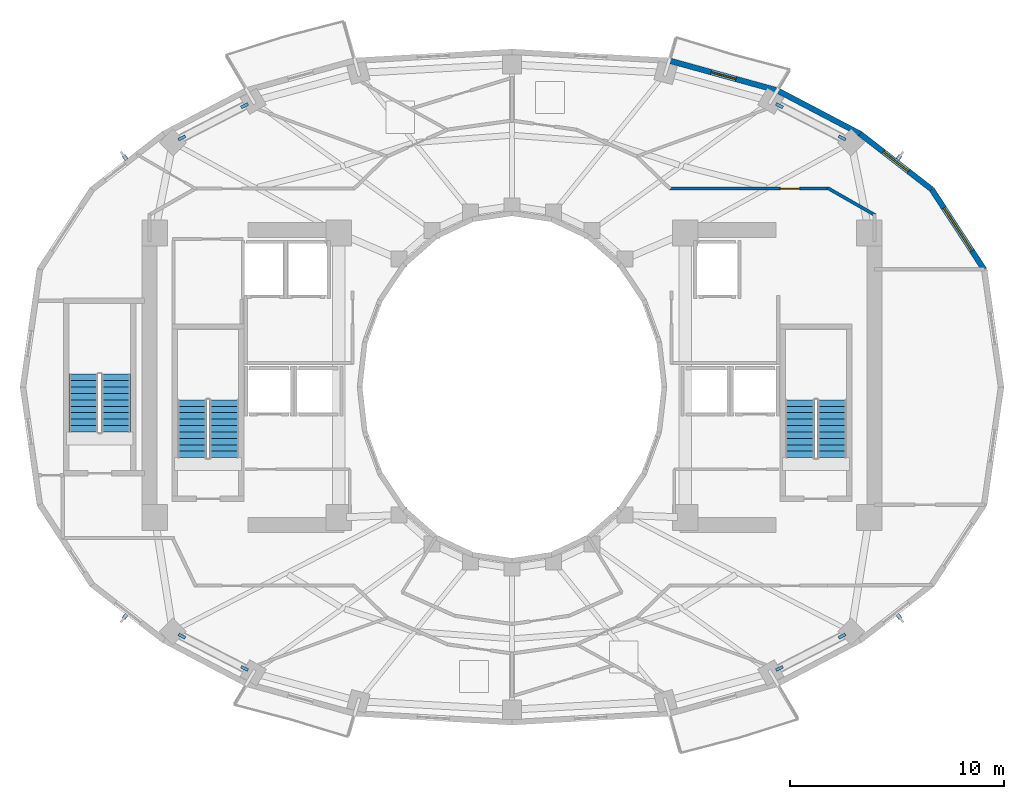
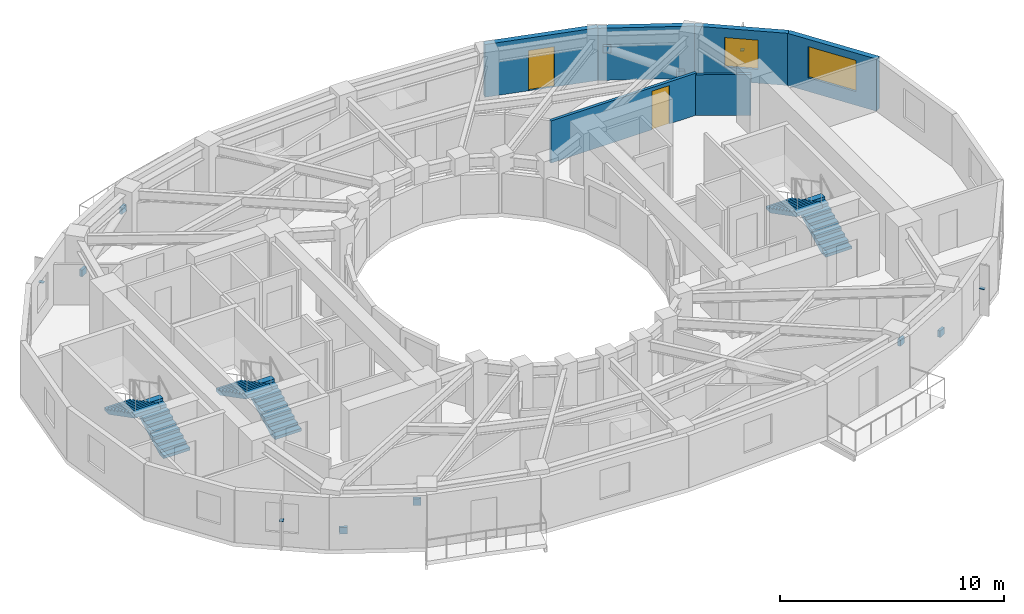
# One storey, part 7 of 10: 12 discrete accessories, 6 stair flights, 6 walls, 2 doors, 2 windows, 4 openings, 3 elements without a shape of their own.
"""IFC4 building model written with IfcOpenShell, lengths in metres."""

from ifc_helpers import new_model, si_unit, direction, frame, frame_2d, origin, origin_2d, place, context, subcontext, project, spatial, polyline, rectangle, outline, extrude, material, layer, layer_set, type_object, element, fill, aggregate, save


model = new_model("IFC4")

# Units and contexts
model_context = context("Model", 3, precision=1e-05, world=origin(), true_north=direction((0.0, 1.0)))
body_context = subcontext(model_context, "Body", "Model", "MODEL_VIEW")
ifc_project = project(units=[si_unit("LENGTHUNIT", "METRE"), si_unit("AREAUNIT", "SQUARE_METRE"), si_unit("VOLUMEUNIT", "CUBIC_METRE"), si_unit("PLANEANGLEUNIT", "RADIAN"), si_unit("MASSUNIT", "GRAM", prefix="KILO")], contexts=[model_context])

# Site, building, storey
site_placement = place(None, origin())
site = spatial("IfcSite", under=ifc_project, at=site_placement, CompositionType="ELEMENT")
building_placement = place(site_placement, origin())
building = spatial("IfcBuilding", under=site, at=building_placement, Name="Solvane Sanctuary Tower", CompositionType="ELEMENT")
storey_placement = place(building_placement, frame((0.0, 0.0, 165.300048828125)))
storey = spatial("IfcBuildingStorey", under=building, at=storey_placement, Name="L50", CompositionType="ELEMENT", Elevation=165.300048828125)

# Wall, opening, door
ifc_material_1 = material(Name="Acoustic Gypsum Partition Board")
ifc_layer_1 = layer(ifc_material_1, 0.14990234375, Name="Acoustic Gypsum Partition Board")
ifc_layer_set_1 = layer_set([ifc_layer_1], Name="Acoustic Gypsum Partition Board")
wall_type_1 = type_object("IfcWallType", Name="Wall W-CORR-150", PredefinedType="PARTITIONING", material=ifc_layer_set_1)
wall_1_placement = place(storey_placement, frame((39.330078125, 32.280029296875, 0.0), z_axis=(0.0, 0.0, 1.0), x_axis=(1.0, 0.0, 0.0)))
wall_1 = element("IfcWall", 1, at=wall_1_placement, inside=storey, type_object=wall_type_1, Name="L50 NE Corner Corridor Wall", PredefinedType="PARTITIONING", context=body_context, shape_type="SweptSolid", body=[
    extrude(rectangle(XDim=7.52001953125, YDim=0.14990234375, at=frame_2d((3.760009765625, 0.0))), origin(), (0.0, 0.0, 1.0), 2.299072265625),
])
opening_1_placement = place(wall_1_placement, frame((5.219970703125, 0.0, 0.0)))
opening_1 = element("IfcOpeningElement", 2, at=opening_1_placement, cuts=wall_1, Name="Opening D-L50-14", PredefinedType="OPENING", context=body_context, shape_type="SweptSolid", body=[
    extrude(rectangle(XDim=0.89990234375, YDim=2.10009765625, at=frame_2d((0.449951171875, 1.050048828125))), frame((0.0, 0.0849609375, 0.0), z_axis=(0.0, -1.0, 0.0), x_axis=(1.0, 0.0, 0.0)), (0.0, 0.0, 1.0), 0.169921875),
])
ifc_material_2 = material(Name="Engineered Tropical Hardwood", Category="wood")
door_type_1 = type_object("IfcDoorType", Name="Door D-WET-900", OperationType="NOTDEFINED", PredefinedType="DOOR", material=ifc_material_2)
door_1_placement = place(opening_1_placement, origin())
door_1 = element("IfcDoor", 3, at=door_1_placement, inside=storey, type_object=door_type_1, Name="L50 NE Corner Salon Door", OperationType="SINGLE_SWING_LEFT", OverallHeight=2.10009765625, OverallWidth=0.89990234375, PredefinedType="DOOR", context=body_context, shape_type="SweptSolid", body=[
    extrude(rectangle(XDim=0.89990234375, YDim=2.10009765625, at=frame_2d((0.449951171875, 1.050048828125))), frame((0.0, 0.02490234375, 0.0), z_axis=(0.0, -1.0, 0.0), x_axis=(1.0, 0.0, 0.0)), (0.0, 0.0, 1.0), 0.050048828125),
])
fill(opening_1, door_1)

# Wall
wall_2_placement = place(storey_placement, frame((46.756591796875, 32.3046875, 0.0), z_axis=(0.0, 0.0, 1.0), x_axis=(0.867991349648, -0.496579315857, 0.0)))
element("IfcWall", 4, at=wall_2_placement, inside=storey, type_object=wall_type_1, Name="L50 NE Corner Wing Wall", PredefinedType="PARTITIONING", context=body_context, shape_type="SweptSolid", body=[
    extrude(rectangle(XDim=2.56689453125, YDim=0.14990234375, at=frame_2d((1.283447265625, 0.0))), origin(), (0.0, 0.0, 1.0), 2.219970703125),
])

# Wall, opening, window
ifc_material_3 = material(Name="Precast concrete C40/50", Category="concrete")
ifc_layer_2 = layer(ifc_material_3, 0.260009765625, Name="Precast concrete C40/50")
ifc_layer_set_2 = layer_set([ifc_layer_2], Name="Precast concrete C40/50")
wall_type_2 = type_object("IfcWallType", Name="Wall W-EXT-250", PredefinedType="STANDARD", material=ifc_layer_set_2)
wall_3_placement = place(storey_placement, frame((54.0703125, 28.49658203125, 0.0), z_axis=(0.0, 0.0, 1.0), x_axis=(-0.547456494366, 0.836834145322, 0.0)))
wall_3 = element("IfcWall", 5, at=wall_3_placement, inside=storey, type_object=wall_type_2, Name="L50 Ceramic-Printed Facade Wall 01", PredefinedType="STANDARD", context=body_context, shape_type="SweptSolid", body=[
    extrude(rectangle(XDim=4.477294921875, YDim=0.260009765625, at=frame_2d((2.23876953125, 0.0))), origin(), (0.0, 0.0, 1.0), 2.849853515625),
])
opening_2_placement = place(wall_3_placement, frame((1.038818359375, 0.0, 0.75)))
opening_2 = element("IfcOpeningElement", 6, at=opening_2_placement, cuts=wall_3, Name="Opening WN-RIB-2400", PredefinedType="OPENING", context=body_context, shape_type="SweptSolid", body=[
    extrude(rectangle(XDim=2.39990234375, YDim=1.699951171875, at=frame_2d((1.199951171875, 0.85009765625))), frame((0.0, 0.139892578125, 0.0), z_axis=(0.0, -1.0, 0.0), x_axis=(1.0, 0.0, 0.0)), (0.0, 0.0, 1.0), 0.280029296875),
])
ifc_material_4 = material(Name="Dark Ceramic-Fritted Low-E Glass", Category="glass")
window_type_1 = type_object("IfcWindowType", Name="Window WN-RIB-2400", PartitioningType="SINGLE_PANEL", PredefinedType="WINDOW", material=ifc_material_4)
window_1_placement = place(opening_2_placement, origin())
window_1 = element("IfcWindow", 7, at=window_1_placement, inside=storey, type_object=window_type_1, Name="L50 Operable Facade Window 01", OverallHeight=1.699951171875, OverallWidth=2.39990234375, PartitioningType="SINGLE_PANEL", PredefinedType="WINDOW", context=body_context, shape_type="SweptSolid", body=[
    extrude(rectangle(XDim=2.39990234375, YDim=1.699951171875, at=frame_2d((1.199951171875, 0.85009765625))), frame((0.0, 0.030029296875, 0.0), z_axis=(0.0, -1.0, 0.0), x_axis=(1.0, 0.0, 0.0)), (0.0, 0.0, 1.0), 0.06005859375),
])
fill(opening_2, window_1)

wall_4_placement = place(storey_placement, frame((51.619140625, 32.243408203125, 0.0), z_axis=(0.0, 0.0, 1.0), x_axis=(-0.790185650662, 0.612867552973, 0.0)))
wall_4 = element("IfcWall", 8, at=wall_4_placement, inside=storey, type_object=wall_type_2, Name="L50 Ceramic-Printed Facade Wall 02", PredefinedType="STANDARD", context=body_context, shape_type="SweptSolid", body=[
    extrude(rectangle(XDim=4.2392578125, YDim=0.260009765625, at=frame_2d((2.11962890625, 0.0))), origin(), (0.0, 0.0, 1.0), 2.849853515625),
])
opening_3_placement = place(wall_4_placement, frame((1.36962890625, 0.0, 0.75)))
opening_3 = element("IfcOpeningElement", 9, at=opening_3_placement, cuts=wall_4, Name="Opening WN-OPER-1500", PredefinedType="OPENING", context=body_context, shape_type="SweptSolid", body=[
    extrude(rectangle(XDim=1.5, YDim=1.60009765625, at=frame_2d((0.75, 0.800048828125))), frame((0.0, 0.139892578125, 0.0), z_axis=(0.0, -1.0, 0.0), x_axis=(1.0, 0.0, 0.0)), (0.0, 0.0, 1.0), 0.280029296875),
])
window_type_2 = type_object("IfcWindowType", Name="Window WN-OPER-1500", PartitioningType="SINGLE_PANEL", PredefinedType="WINDOW", material=ifc_material_4)
window_2_placement = place(opening_3_placement, origin())
window_2 = element("IfcWindow", 10, at=window_2_placement, inside=storey, type_object=window_type_2, Name="L50 Operable Facade Window 02", OverallHeight=1.60009765625, OverallWidth=1.5, PartitioningType="SINGLE_PANEL", PredefinedType="WINDOW", context=body_context, shape_type="SweptSolid", body=[
    extrude(rectangle(XDim=1.5, YDim=1.60009765625, at=frame_2d((0.75, 0.800048828125))), frame((0.0, 0.030029296875, 0.0), z_axis=(0.0, -1.0, 0.0), x_axis=(1.0, 0.0, 0.0)), (0.0, 0.0, 1.0), 0.06005859375),
])
fill(opening_3, window_2)

# Wall
wall_5_placement = place(storey_placement, frame((48.269287109375, 34.841552734375, 0.0), z_axis=(0.0, 0.0, 1.0), x_axis=(-0.885660265226, 0.464333818065, 0.0)))
element("IfcWall", 11, at=wall_5_placement, inside=storey, type_object=wall_type_2, Name="L50 Ceramic-Printed Facade Wall 03", PredefinedType="STANDARD", context=body_context, shape_type="SweptSolid", body=[
    extrude(rectangle(XDim=4.35400390625, YDim=0.260009765625, at=frame_2d((2.177001953125, 0.0))), origin(), (0.0, 0.0, 1.0), 2.849853515625),
])

# Wall, opening, door
wall_6_placement = place(storey_placement, frame((44.4130859375, 36.86328125, 0.0), z_axis=(0.0, 0.0, 1.0), x_axis=(-0.963953455704, 0.26607092144, 0.0)))
wall_6 = element("IfcWall", 12, at=wall_6_placement, inside=storey, type_object=wall_type_2, Name="L50 Balcony Facade Wall N1", PredefinedType="STANDARD", context=body_context, shape_type="SweptSolid", body=[
    extrude(rectangle(XDim=5.236572265625, YDim=0.260009765625, at=frame_2d((2.6181640625, 0.0))), origin(), (0.0, 0.0, 1.0), 2.8798828125),
])
opening_4_placement = place(wall_6_placement, frame((2.018310546875, 0.0, 0.0)))
opening_4 = element("IfcOpeningElement", 13, at=opening_4_placement, cuts=wall_6, Name="Opening D-L50-01", PredefinedType="OPENING", context=body_context, shape_type="SweptSolid", body=[
    extrude(rectangle(XDim=1.199951171875, YDim=2.199951171875, at=frame_2d((0.60009765625, 1.10009765625))), frame((0.0, 0.139892578125, 0.0), z_axis=(0.0, -1.0, 0.0), x_axis=(1.0, 0.0, 0.0)), (0.0, 0.0, 1.0), 0.280029296875),
])
ifc_material_5 = material(Name="Anodised Aluminium 6063-T6", Category="aluminium")
door_type_2 = type_object("IfcDoorType", Name="Door D-BALC-1200", OperationType="NOTDEFINED", PredefinedType="DOOR", material=ifc_material_5)
door_2_placement = place(opening_4_placement, origin())
door_2 = element("IfcDoor", 14, at=door_2_placement, inside=storey, type_object=door_type_2, Name="L50 Glazed Balcony Door N1", OperationType="SINGLE_SWING_RIGHT", OverallHeight=2.199951171875, OverallWidth=1.199951171875, PredefinedType="DOOR", context=body_context, shape_type="SweptSolid", body=[
    extrude(rectangle(XDim=1.199951171875, YDim=2.199951171875, at=frame_2d((0.60009765625, 1.10009765625))), frame((0.0, 0.02490234375, 0.0), z_axis=(0.0, -1.0, 0.0), x_axis=(1.0, 0.0, 0.0)), (0.0, 0.0, 1.0), 0.050048828125),
])
fill(opening_4, door_2)

# Stair, stair flights
ifc_material_6 = material(Name="Concrete C45/55", Category="concrete")
stair_type = type_object("IfcStairType", Name="Stair ST-TOW", PredefinedType="HALF_TURN_STAIR", material=ifc_material_6)
stair_1_placement = place(storey_placement, origin())
stair_1 = element("IfcStair", 15, at=stair_1_placement, inside=storey, type_object=stair_type, Name="L50 Exit Stair ST-1 West Core", PredefinedType="HALF_TURN_STAIR")
stair_flight_type = type_object("IfcStairFlightType", Name="StairFlight SF-TOW", PredefinedType="STRAIGHT", material=ifc_material_6)
stair_flight_1_placement = place(storey_placement, frame((18.544921875, 19.699951171875, 0.0), z_axis=(0.0, 0.0, 1.0), x_axis=(0.0, 1.0, 0.0)))
stair_flight_1 = element("IfcStairFlight", 16, at=stair_flight_1_placement, type_object=stair_flight_type, Name="ST-1 flight 1", NumberOfRisers=10, NumberOfTreads=9, PredefinedType="STRAIGHT", RiserHeight=0.155, TreadLength=0.3, context=body_context, shape_type="SweptSolid", body=[
    extrude(outline(polyline([(0.0, 0.0), (0.0, 0.155029296875), (0.300048828125, 0.155029296875), (0.300048828125, 0.31005859375), (0.60009765625, 0.31005859375), (0.60009765625, 0.465087890625), (0.89990234375, 0.465087890625), (0.89990234375, 0.6201171875), (1.199951171875, 0.6201171875), (1.199951171875, 0.77490234375), (1.5, 0.77490234375), (1.5, 0.929931640625), (1.800048828125, 0.929931640625), (1.800048828125, 1.0849609375), (2.10009765625, 1.0849609375), (2.10009765625, 1.239990234375), (2.39990234375, 1.239990234375), (2.39990234375, 1.39501953125), (2.699951171875, 1.39501953125), (2.699951171875, 1.550048828125), (2.699951171875, 1.1923828125), (0.39208984375, 0.0), (0.0, 0.0)])), frame((0.0, 0.675048828125, 0.0), z_axis=(0.0, -1.0, 0.0), x_axis=(1.0, 0.0, 0.0)), (0.0, 0.0, 1.0), 1.35009765625),
])
stair_flight_2_placement = place(storey_placement, frame((17.034912109375, 22.39990234375, 1.550048828125), z_axis=(0.0, 0.0, 1.0), x_axis=(0.0, -1.0, 0.0)))
stair_flight_2 = element("IfcStairFlight", 17, at=stair_flight_2_placement, type_object=stair_flight_type, Name="ST-1 flight 2", NumberOfRisers=10, NumberOfTreads=9, PredefinedType="STRAIGHT", RiserHeight=0.155, TreadLength=0.3, context=body_context, shape_type="SweptSolid", body=[
    extrude(outline(polyline([(0.0, 0.0), (0.0, 0.155029296875), (0.300048828125, 0.155029296875), (0.300048828125, 0.31005859375), (0.60009765625, 0.31005859375), (0.60009765625, 0.465087890625), (0.89990234375, 0.465087890625), (0.89990234375, 0.6201171875), (1.199951171875, 0.6201171875), (1.199951171875, 0.77490234375), (1.5, 0.77490234375), (1.5, 0.929931640625), (1.800048828125, 0.929931640625), (1.800048828125, 1.0849609375), (2.10009765625, 1.0849609375), (2.10009765625, 1.239990234375), (2.39990234375, 1.239990234375), (2.39990234375, 1.39501953125), (2.699951171875, 1.39501953125), (2.699951171875, 1.550048828125), (2.699951171875, 1.1923828125), (0.39208984375, 0.0), (0.0, 0.0)])), frame((0.0, 0.675048828125, 0.0), z_axis=(0.0, -1.0, 0.0), x_axis=(1.0, 0.0, 0.0)), (0.0, 0.0, 1.0), 1.35009765625),
])
aggregate(stair_1, [stair_flight_1, stair_flight_2])

stair_2_placement = place(storey_placement, origin())
stair_2 = element("IfcStair", 18, at=stair_2_placement, inside=storey, type_object=stair_type, Name="L50 Exit Stair ST-2 East Core", PredefinedType="HALF_TURN_STAIR")
stair_flight_3_placement = place(storey_placement, frame((46.965087890625, 19.699951171875, 0.0), z_axis=(0.0, 0.0, 1.0), x_axis=(0.0, 1.0, 0.0)))
stair_flight_3 = element("IfcStairFlight", 19, at=stair_flight_3_placement, type_object=stair_flight_type, Name="ST-2 flight 1", NumberOfRisers=10, NumberOfTreads=9, PredefinedType="STRAIGHT", RiserHeight=0.155, TreadLength=0.3, context=body_context, shape_type="SweptSolid", body=[
    extrude(outline(polyline([(0.0, 0.0), (0.0, 0.155029296875), (0.300048828125, 0.155029296875), (0.300048828125, 0.31005859375), (0.60009765625, 0.31005859375), (0.60009765625, 0.465087890625), (0.89990234375, 0.465087890625), (0.89990234375, 0.6201171875), (1.199951171875, 0.6201171875), (1.199951171875, 0.77490234375), (1.5, 0.77490234375), (1.5, 0.929931640625), (1.800048828125, 0.929931640625), (1.800048828125, 1.0849609375), (2.10009765625, 1.0849609375), (2.10009765625, 1.239990234375), (2.39990234375, 1.239990234375), (2.39990234375, 1.39501953125), (2.699951171875, 1.39501953125), (2.699951171875, 1.550048828125), (2.699951171875, 1.1923828125), (0.39208984375, 0.0), (0.0, 0.0)])), frame((0.0, 0.675048828125, 0.0), z_axis=(0.0, -1.0, 0.0), x_axis=(1.0, 0.0, 0.0)), (0.0, 0.0, 1.0), 1.35009765625),
])
stair_flight_4_placement = place(storey_placement, frame((45.455078125, 22.39990234375, 1.550048828125), z_axis=(0.0, 0.0, 1.0), x_axis=(0.0, -1.0, 0.0)))
stair_flight_4 = element("IfcStairFlight", 20, at=stair_flight_4_placement, type_object=stair_flight_type, Name="ST-2 flight 2", NumberOfRisers=10, NumberOfTreads=9, PredefinedType="STRAIGHT", RiserHeight=0.155, TreadLength=0.3, context=body_context, shape_type="SweptSolid", body=[
    extrude(outline(polyline([(0.0, 0.0), (0.0, 0.155029296875), (0.300048828125, 0.155029296875), (0.300048828125, 0.31005859375), (0.60009765625, 0.31005859375), (0.60009765625, 0.465087890625), (0.89990234375, 0.465087890625), (0.89990234375, 0.6201171875), (1.199951171875, 0.6201171875), (1.199951171875, 0.77490234375), (1.5, 0.77490234375), (1.5, 0.929931640625), (1.800048828125, 0.929931640625), (1.800048828125, 1.0849609375), (2.10009765625, 1.0849609375), (2.10009765625, 1.239990234375), (2.39990234375, 1.239990234375), (2.39990234375, 1.39501953125), (2.699951171875, 1.39501953125), (2.699951171875, 1.550048828125), (2.699951171875, 1.1923828125), (0.39208984375, 0.0), (0.0, 0.0)])), frame((0.0, 0.675048828125, 0.0), z_axis=(0.0, -1.0, 0.0), x_axis=(1.0, 0.0, 0.0)), (0.0, 0.0, 1.0), 1.35009765625),
])
aggregate(stair_2, [stair_flight_3, stair_flight_4])

stair_3_placement = place(storey_placement, origin())
stair_3 = element("IfcStair", 21, at=stair_3_placement, inside=storey, type_object=stair_type, Name="L50 Exit Stair ST-3 Pilgrim Tower Stair", PredefinedType="HALF_TURN_STAIR")
stair_flight_5_placement = place(storey_placement, frame((13.485107421875, 20.89990234375, 0.0), z_axis=(0.0, 0.0, 1.0), x_axis=(0.0, 1.0, 0.0)))
stair_flight_5 = element("IfcStairFlight", 22, at=stair_flight_5_placement, type_object=stair_flight_type, Name="ST-3 flight 1", NumberOfRisers=10, NumberOfTreads=9, PredefinedType="STRAIGHT", RiserHeight=0.155, TreadLength=0.3, context=body_context, shape_type="SweptSolid", body=[
    extrude(outline(polyline([(0.0, 0.0), (0.0, 0.155029296875), (0.300048828125, 0.155029296875), (0.300048828125, 0.31005859375), (0.60009765625, 0.31005859375), (0.60009765625, 0.465087890625), (0.89990234375, 0.465087890625), (0.89990234375, 0.6201171875), (1.199951171875, 0.6201171875), (1.199951171875, 0.77490234375), (1.5, 0.77490234375), (1.5, 0.929931640625), (1.800048828125, 0.929931640625), (1.800048828125, 1.0849609375), (2.10009765625, 1.0849609375), (2.10009765625, 1.239990234375), (2.39990234375, 1.239990234375), (2.39990234375, 1.39501953125), (2.699951171875, 1.39501953125), (2.699951171875, 1.550048828125), (2.699951171875, 1.1923828125), (0.39208984375, 0.0), (0.0, 0.0)])), frame((0.0, 0.675048828125, 0.0), z_axis=(0.0, -1.0, 0.0), x_axis=(1.0, 0.0, 0.0)), (0.0, 0.0, 1.0), 1.35009765625),
])
stair_flight_6_placement = place(storey_placement, frame((11.97509765625, 23.60009765625, 1.550048828125), z_axis=(0.0, 0.0, 1.0), x_axis=(0.0, -1.0, 0.0)))
stair_flight_6 = element("IfcStairFlight", 23, at=stair_flight_6_placement, type_object=stair_flight_type, Name="ST-3 flight 2", NumberOfRisers=10, NumberOfTreads=9, PredefinedType="STRAIGHT", RiserHeight=0.155, TreadLength=0.3, context=body_context, shape_type="SweptSolid", body=[
    extrude(outline(polyline([(0.0, 0.0), (0.0, 0.155029296875), (0.300048828125, 0.155029296875), (0.300048828125, 0.31005859375), (0.60009765625, 0.31005859375), (0.60009765625, 0.465087890625), (0.89990234375, 0.465087890625), (0.89990234375, 0.6201171875), (1.199951171875, 0.6201171875), (1.199951171875, 0.77490234375), (1.5, 0.77490234375), (1.5, 0.929931640625), (1.800048828125, 0.929931640625), (1.800048828125, 1.0849609375), (2.10009765625, 1.0849609375), (2.10009765625, 1.239990234375), (2.39990234375, 1.239990234375), (2.39990234375, 1.39501953125), (2.699951171875, 1.39501953125), (2.699951171875, 1.550048828125), (2.699951171875, 1.1923828125), (0.39208984375, 0.0), (0.0, 0.0)])), frame((0.0, 0.675048828125, 0.0), z_axis=(0.0, -1.0, 0.0), x_axis=(1.0, 0.0, 0.0)), (0.0, 0.0, 1.0), 1.35009765625),
])
aggregate(stair_3, [stair_flight_5, stair_flight_6])

# Discrete accessories
ifc_material_7 = material(Name="Steel ASTM A572 Grade 50", Category="steel")
ifc_layer_3 = layer(ifc_material_7, 0.360107421875, Name="Steel ASTM A572 Grade 50")
ifc_layer_set_3 = layer_set([ifc_layer_3], Name="Steel ASTM A572 Grade 50")
discrete_accessory_type_1 = type_object("IfcDiscreteAccessoryType", Name="Accessory ACC-GUSSET-BRK", PredefinedType="BRACKET", material=ifc_layer_set_3)
for number, where, z_axis, x_axis, name in (
    (24, (47.432373046875, 34.64453125, 0.4111328125), (0.0, 0.0, 1.0), (-0.889256761832, 0.457408364087, 0.0), "L50 Perimeter Braced-Tube Diagonal NE End Gusset Bracket A"),
    (25, (44.502685546875, 36.151123046875, 1.86865234375), (0.0, 0.0, 1.0), (-0.889256761832, 0.457408364087, 0.0), "L50 Perimeter Braced-Tube Diagonal NE End Gusset Bracket B"),
    (26, (16.567626953125, 34.64453125, 0.4111328125), (0.0, 0.0, 1.0), (0.889256761832, 0.457408364087, 0.0), "L50 Perimeter Braced-Tube Diagonal NW End Gusset Bracket A"),
    (27, (19.497314453125, 36.151123046875, 1.86865234375), (0.0, 0.0, 1.0), (0.889256761832, 0.457408364087, 0.0), "L50 Perimeter Braced-Tube Diagonal NW End Gusset Bracket B"),
    (28, (16.567626953125, 11.35546875, 0.4111328125), (0.0, 0.0, 1.0), (0.889256761832, -0.457408364087, 0.0), "L50 Perimeter Braced-Tube Diagonal SW End Gusset Bracket A"),
    (29, (19.497314453125, 9.848876953125, 1.86865234375), (0.0, 0.0, 1.0), (0.889256761832, -0.457408364087, 0.0), "L50 Perimeter Braced-Tube Diagonal SW End Gusset Bracket B"),
    (30, (47.432373046875, 11.35546875, 0.4111328125), (0.0, 0.0, 1.0), (-0.889256761832, -0.457408364087, 0.0), "L50 Perimeter Braced-Tube Diagonal SE End Gusset Bracket A"),
    (31, (44.502685546875, 9.848876953125, 1.86865234375), (0.0, 0.0, 1.0), (-0.889256761832, -0.457408364087, 0.0), "L50 Perimeter Braced-Tube Diagonal SE End Gusset Bracket B"),
):
    element("IfcDiscreteAccessory", number, at=place(storey_placement, frame(where, z_axis=z_axis, x_axis=x_axis)), inside=storey, type_object=discrete_accessory_type_1, Name=name, PredefinedType="BRACKET", context=body_context, shape_type="SweptSolid", body=[
        extrude(rectangle(XDim=0.360107421875, YDim=0.139892578125, at=origin_2d()), origin(), (0.0, 0.0, 1.0), 0.360107421875),
    ])
ifc_material_8 = material(Name="Steel ASTM A500 Grade C", Category="steel")
ifc_layer_4 = layer(ifc_material_8, 0.02490234375, Name="Steel ASTM A500 Grade C")
ifc_layer_set_4 = layer_set([ifc_layer_4], Name="Steel ASTM A500 Grade C")
discrete_accessory_type_2 = type_object("IfcDiscreteAccessoryType", Name="Accessory BRK-FACADE", PredefinedType="BRACKET", material=ifc_layer_set_4)
for number, where, z_axis, x_axis, name in (
    (32, (50.09130859375, 33.732177734375, 1.487548828125), (0.0, 0.0, 1.0), (-0.790165709501, 0.612893262753, 0.0), "L50 Solar Fin Bracket 02"),
    (33, (13.90869140625, 33.732177734375, 1.487548828125), (0.0, 0.0, 1.0), (-0.790165709501, -0.612893262753, 0.0), "L50 Solar Fin Bracket 09"),
    (34, (13.90869140625, 12.267822265625, 1.487548828125), (0.0, 0.0, 1.0), (0.790165709501, -0.612893262753, 0.0), "L50 Solar Fin Bracket 14"),
    (35, (50.09130859375, 12.267822265625, 1.487548828125), (0.0, 0.0, 1.0), (0.790165709501, 0.612893262753, 0.0), "L50 Solar Fin Bracket 21"),
):
    element("IfcDiscreteAccessory", number, at=place(storey_placement, frame(where, z_axis=z_axis, x_axis=x_axis)), inside=storey, type_object=discrete_accessory_type_2, Name=name, PredefinedType="BRACKET", context=body_context, shape_type="SweptSolid", body=[
        extrude(rectangle(XDim=0.179931640625, YDim=0.239990234375, at=origin_2d()), origin(), (0.0, 0.0, 1.0), 0.02490234375),
    ])

save(model, "model.ifc")
